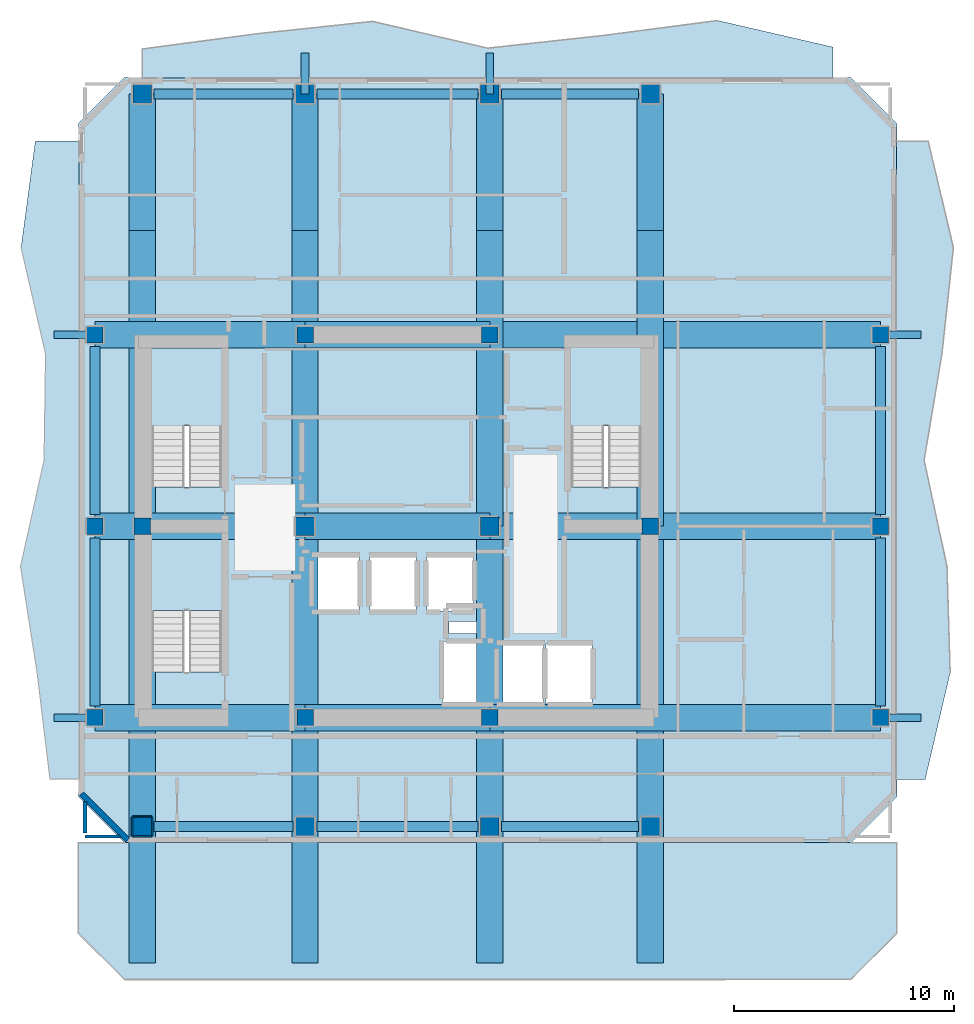
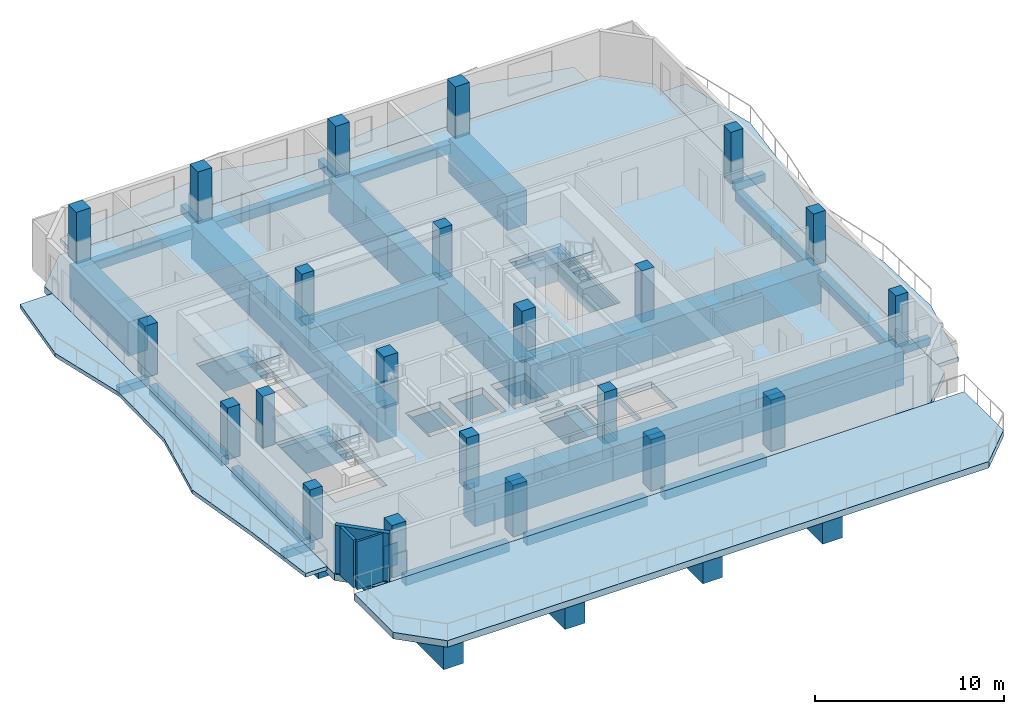
# One storey, part 1 of 9: 37 beams, 22 columns, 8 slabs, 7 walls, 3 elements without a shape of their own.
"""IFC4 building model written with IfcOpenShell, lengths in metres."""

from ifc_helpers import new_model, si_unit, direction, frame, frame_2d, origin, origin_2d, place, context, subcontext, project, spatial, polyline, rectangle, outline, extrude, material, layer, layer_set, material_profile, profile_set, type_object, element, aggregate, save


model = new_model("IFC4")

# Units and contexts
model_context = context("Model", 3, precision=1e-05, world=origin(), true_north=direction((0.0, 1.0)))
body_context = subcontext(model_context, "Body", "Model", "MODEL_VIEW")
ifc_project = project(units=[si_unit("LENGTHUNIT", "METRE"), si_unit("AREAUNIT", "SQUARE_METRE"), si_unit("VOLUMEUNIT", "CUBIC_METRE"), si_unit("PLANEANGLEUNIT", "RADIAN"), si_unit("MASSUNIT", "GRAM", prefix="KILO")], contexts=[model_context])

# Site, building, storey
site_placement = place(None, origin())
site = spatial("IfcSite", under=ifc_project, at=site_placement, CompositionType="ELEMENT")
building_placement = place(site_placement, origin())
building = spatial("IfcBuilding", under=site, at=building_placement, Name="Solanera Arch Residences", CompositionType="ELEMENT")
storey_placement = place(building_placement, frame((0.0, 0.0, 231.280029296875)))
storey = spatial("IfcBuildingStorey", under=building, at=storey_placement, Name="L67", CompositionType="ELEMENT", Elevation=231.280029296875)

# Columns
ifc_material_1 = material(Name="Concrete C40/50 (f'c = 45 MPa)", Category="concrete")
ifc_material_profile_1 = material_profile(ifc_material_1, rectangle(XDim=0.75, YDim=0.75, at=origin_2d()))
ifc_profile_set_1 = profile_set([ifc_material_profile_1], Name="Concrete C40/50 (f'c = 45 MPa)")
column_type_1 = type_object("IfcColumnType", Name="Structural Column RC-COL-750X750", PredefinedType="COLUMN", material=ifc_profile_set_1)
for number, where, z_axis, x_axis, name in (
    (1, (20.800048828125, 22.0, 0.0), (0.0, 0.0, 1.0), (1.0, 0.0, 0.0), "COL-L67-CB-SW"),
    (2, (29.199951171875, 22.0, 0.0), (0.0, 0.0, 1.0), (1.0, 0.0, 0.0), "COL-L67-CB-SE"),
    (3, (20.800048828125, 39.39990234375, 0.0), (0.0, 0.0, 1.0), (1.0, 0.0, 0.0), "COL-L67-CB-NW"),
    (4, (29.199951171875, 39.39990234375, 0.0), (0.0, 0.0, 1.0), (1.0, 0.0, 0.0), "COL-L67-CB-NE"),
    (5, (13.39990234375, 30.699951171875, 0.0), (0.0, 0.0, 1.0), (1.0, 0.0, 0.0), "COL-L67-CB-WW"),
    (6, (36.5, 30.699951171875, 0.0), (0.0, 0.0, 1.0), (1.0, 0.0, 0.0), "COL-L67-CB-EE"),
):
    element("IfcColumn", number, at=place(storey_placement, frame(where, z_axis=z_axis, x_axis=x_axis)), inside=storey, type_object=column_type_1, Name=name, PredefinedType="COLUMN", context=body_context, shape_type="SweptSolid", body=[
        extrude(rectangle(XDim=0.75, YDim=0.75, at=origin_2d()), origin(), (0.0, 0.0, 1.0), 3.320068359375),
    ])
for number, where, z_axis, x_axis, name in (
    (7, (11.25, 22.0, -0.199951171875), (0.0, 0.0, 1.0), (1.0, 0.0, 0.0), "COL-L67-TWR-09"),
    (8, (46.949951171875, 22.0, -0.199951171875), (0.0, 0.0, 1.0), (1.0, 0.0, 0.0), "COL-L67-TWR-10"),
    (9, (11.25, 30.699951171875, -0.199951171875), (0.0, 0.0, 1.0), (1.0, 0.0, 0.0), "COL-L67-TWR-11"),
    (10, (46.949951171875, 30.699951171875, -0.199951171875), (0.0, 0.0, 1.0), (1.0, 0.0, 0.0), "COL-L67-TWR-12"),
    (11, (11.25, 39.39990234375, -0.199951171875), (0.0, 0.0, 1.0), (1.0, 0.0, 0.0), "COL-L67-TWR-13"),
    (12, (46.949951171875, 39.39990234375, -0.199951171875), (0.0, 0.0, 1.0), (1.0, 0.0, 0.0), "COL-L67-TWR-14"),
):
    element("IfcColumn", number, at=place(storey_placement, frame(where, z_axis=z_axis, x_axis=x_axis)), inside=storey, type_object=column_type_1, Name=name, PredefinedType="COLUMN", context=body_context, shape_type="SweptSolid", body=[
        extrude(rectangle(XDim=0.75, YDim=0.75, at=origin_2d()), origin(), (0.0, 0.0, 1.0), 3.52001953125),
    ])
ifc_material_2 = material(Name="Concrete C40/50 (f'c = 45 MPa)", Category="concrete")
ifc_material_profile_2 = material_profile(ifc_material_2, rectangle(XDim=0.85009765625, YDim=0.85009765625, at=origin_2d()))
ifc_profile_set_2 = profile_set([ifc_material_profile_2], Name="Concrete C40/50 (f'c = 45 MPa)")
column_type_2 = type_object("IfcColumnType", Name="Structural Column RC-COL-850X850", PredefinedType="COLUMN", material=ifc_profile_set_2)
for number, where, z_axis, x_axis, name in (
    (13, (20.800048828125, 30.699951171875, 0.0), (0.0, 0.0, 1.0), (1.0, 0.0, 0.0), "COL-L67-CORE-W"),
    (14, (29.199951171875, 30.699951171875, 0.0), (0.0, 0.0, 1.0), (1.0, 0.0, 0.0), "COL-L67-CORE-E"),
):
    element("IfcColumn", number, at=place(storey_placement, frame(where, z_axis=z_axis, x_axis=x_axis)), inside=storey, type_object=column_type_2, Name=name, PredefinedType="COLUMN", context=body_context, shape_type="SweptSolid", body=[
        extrude(rectangle(XDim=0.85009765625, YDim=0.85009765625, at=origin_2d()), origin(), (0.0, 0.0, 1.0), 3.320068359375),
    ])
for number, where, z_axis, x_axis, name in (
    (15, (13.39990234375, 17.050048828125, -0.199951171875), (0.0, 0.0, 1.0), (1.0, 0.0, 0.0), "COL-L67-TWR-01"),
    (16, (13.39990234375, 50.35009765625, -0.199951171875), (0.0, 0.0, 1.0), (1.0, 0.0, 0.0), "COL-L67-TWR-02"),
    (17, (20.800048828125, 17.050048828125, -0.199951171875), (0.0, 0.0, 1.0), (1.0, 0.0, 0.0), "COL-L67-TWR-03"),
    (18, (20.800048828125, 50.35009765625, -0.199951171875), (0.0, 0.0, 1.0), (1.0, 0.0, 0.0), "COL-L67-TWR-04"),
    (19, (29.199951171875, 17.050048828125, -0.199951171875), (0.0, 0.0, 1.0), (1.0, 0.0, 0.0), "COL-L67-TWR-05"),
    (20, (29.199951171875, 50.35009765625, -0.199951171875), (0.0, 0.0, 1.0), (1.0, 0.0, 0.0), "COL-L67-TWR-06"),
    (21, (36.5, 17.050048828125, -0.199951171875), (0.0, 0.0, 1.0), (1.0, 0.0, 0.0), "COL-L67-TWR-07"),
    (22, (36.5, 50.35009765625, -0.199951171875), (0.0, 0.0, 1.0), (1.0, 0.0, 0.0), "COL-L67-TWR-08"),
):
    element("IfcColumn", number, at=place(storey_placement, frame(where, z_axis=z_axis, x_axis=x_axis)), inside=storey, type_object=column_type_2, Name=name, PredefinedType="COLUMN", context=body_context, shape_type="SweptSolid", body=[
        extrude(rectangle(XDim=0.85009765625, YDim=0.85009765625, at=origin_2d()), origin(), (0.0, 0.0, 1.0), 3.52001953125),
    ])

# Beams
ifc_material_3 = material(Name="Concrete C40/50 (f'c = 45 MPa)", Category="concrete")
ifc_material_profile_3 = material_profile(ifc_material_3, rectangle(XDim=0.35009765625, YDim=0.5, at=origin_2d()))
ifc_profile_set_3 = profile_set([ifc_material_profile_3], Name="Concrete C40/50 (f'c = 45 MPa)")
beam_type_1 = type_object("IfcBeamType", Name="BM-BALC-RIB", PredefinedType="BEAM", material=ifc_profile_set_3)
for number, where, z_axis, x_axis, name in (
    (23, (20.800048828125, 50.35009765625, -0.5), (0.0, 1.0, 0.0), (-1.0, 0.0, 0.0), "BM-L67-BRIB-N1"),
    (24, (29.199951171875, 50.35009765625, -0.5), (0.0, 1.0, 0.0), (-1.0, 0.0, 0.0), "BM-L67-BRIB-N2"),
):
    element("IfcBeam", number, at=place(storey_placement, frame(where, z_axis=z_axis, x_axis=x_axis)), inside=storey, type_object=beam_type_1, Name=name, PredefinedType="BEAM", context=body_context, shape_type="SweptSolid", body=[
        extrude(rectangle(XDim=0.35009765625, YDim=0.5, at=origin_2d()), origin(), (0.0, 0.0, 1.0), 1.849853515625),
    ])
for number, where, z_axis, x_axis, name in (
    (25, (46.949951171875, 22.0, -0.5), (1.0, 0.0, 0.0), (0.0, 1.0, 0.0), "BM-L67-BRIB-E1"),
    (26, (46.949951171875, 39.39990234375, -0.5), (1.0, 0.0, 0.0), (0.0, 1.0, 0.0), "BM-L67-BRIB-E2"),
    (27, (9.39990234375, 22.0, -0.5), (1.0, 0.0, 0.0), (0.0, 1.0, 0.0), "BM-L67-BRIB-W1"),
    (28, (9.39990234375, 39.39990234375, -0.5), (1.0, 0.0, 0.0), (0.0, 1.0, 0.0), "BM-L67-BRIB-W2"),
):
    element("IfcBeam", number, at=place(storey_placement, frame(where, z_axis=z_axis, x_axis=x_axis)), inside=storey, type_object=beam_type_1, Name=name, PredefinedType="BEAM", context=body_context, shape_type="SweptSolid", body=[
        extrude(rectangle(XDim=0.35009765625, YDim=0.5, at=origin_2d()), origin(), (0.0, 0.0, 1.0), 1.85009765625),
    ])
ifc_material_4 = material(Name="Concrete C55/67 (f'c = 60 MPa)", Category="concrete")
ifc_material_profile_4 = material_profile(ifc_material_4, rectangle(XDim=1.199951171875, YDim=2.199951171875, at=origin_2d()))
ifc_profile_set_4 = profile_set([ifc_material_profile_4], Name="Concrete C55/67 (f'c = 60 MPa)")
beam_type_2 = type_object("IfcBeamType", Name="BM-CANT-BLOCK", PredefinedType="BEAM", material=ifc_profile_set_4)
for number, where, z_axis, x_axis, name in (
    (29, (13.39990234375, 44.14990234375, -1.300048828125), (0.0, 1.0, 0.0), (-1.0, 0.0, 0.0), "BM-L67-CANT-NS-N-134"),
    (30, (20.800048828125, 44.14990234375, -1.300048828125), (0.0, 1.0, 0.0), (-1.0, 0.0, 0.0), "BM-L67-CANT-NS-N-208"),
    (31, (29.199951171875, 44.14990234375, -1.300048828125), (0.0, 1.0, 0.0), (-1.0, 0.0, 0.0), "BM-L67-CANT-NS-N-292"),
    (32, (36.5, 44.14990234375, -1.300048828125), (0.0, 1.0, 0.0), (-1.0, 0.0, 0.0), "BM-L67-CANT-NS-N-365"),
):
    element("IfcBeam", number, at=place(storey_placement, frame(where, z_axis=z_axis, x_axis=x_axis)), inside=storey, type_object=beam_type_2, Name=name, PredefinedType="BEAM", context=body_context, shape_type="SweptSolid", body=[
        extrude(rectangle(XDim=1.199951171875, YDim=2.199951171875, at=origin_2d()), origin(), (0.0, 0.0, 1.0), 6.2001953125),
    ])
ifc_material_5 = material(Name="Concrete C40/50 (f'c = 45 MPa)", Category="concrete")
ifc_material_profile_5 = material_profile(ifc_material_5, rectangle(XDim=0.449951171875, YDim=0.60009765625, at=origin_2d()))
ifc_profile_set_5 = profile_set([ifc_material_profile_5], Name="Concrete C40/50 (f'c = 45 MPa)")
beam_type_3 = type_object("IfcBeamType", Name="Spandrel Beam RC-BM-450X600", PredefinedType="SPANDREL", material=ifc_profile_set_5)
for number, where, z_axis, x_axis, name in (
    (33, (13.93994140625, 17.050048828125, -0.719970703125), (1.0, 0.0, 0.0), (0.0, 1.0, 0.0), "BM-L67-XRING-S-1"),
    (34, (13.93994140625, 50.35009765625, -0.719970703125), (1.0, 0.0, 0.0), (0.0, 1.0, 0.0), "BM-L67-XRING-N-1"),
):
    element("IfcBeam", number, at=place(storey_placement, frame(where, z_axis=z_axis, x_axis=x_axis)), inside=storey, type_object=beam_type_3, Name=name, PredefinedType="SPANDREL", context=body_context, shape_type="SweptSolid", body=[
        extrude(rectangle(XDim=0.449951171875, YDim=0.60009765625, at=origin_2d()), origin(), (0.0, 0.0, 1.0), 6.320068359375),
    ])
for number, where, z_axis, x_axis, name in (
    (35, (21.340087890625, 17.050048828125, -0.719970703125), (1.0, 0.0, 0.0), (0.0, 1.0, 0.0), "BM-L67-XRING-S-2"),
    (36, (21.340087890625, 50.35009765625, -0.719970703125), (1.0, 0.0, 0.0), (0.0, 1.0, 0.0), "BM-L67-XRING-N-2"),
):
    element("IfcBeam", number, at=place(storey_placement, frame(where, z_axis=z_axis, x_axis=x_axis)), inside=storey, type_object=beam_type_3, Name=name, PredefinedType="SPANDREL", context=body_context, shape_type="SweptSolid", body=[
        extrude(rectangle(XDim=0.449951171875, YDim=0.60009765625, at=origin_2d()), origin(), (0.0, 0.0, 1.0), 7.31982421875),
    ])
for number, where, z_axis, x_axis, name in (
    (37, (29.739990234375, 17.050048828125, -0.719970703125), (1.0, 0.0, 0.0), (0.0, 1.0, 0.0), "BM-L67-XRING-S-3"),
    (38, (29.739990234375, 50.35009765625, -0.719970703125), (1.0, 0.0, 0.0), (0.0, 1.0, 0.0), "BM-L67-XRING-N-3"),
):
    element("IfcBeam", number, at=place(storey_placement, frame(where, z_axis=z_axis, x_axis=x_axis)), inside=storey, type_object=beam_type_3, Name=name, PredefinedType="SPANDREL", context=body_context, shape_type="SweptSolid", body=[
        extrude(rectangle(XDim=0.449951171875, YDim=0.60009765625, at=origin_2d()), origin(), (0.0, 0.0, 1.0), 6.219970703125),
    ])
for number, where, z_axis, x_axis, name in (
    (39, (11.25, 22.5400390625, -0.719970703125), (0.0, 1.0, 0.0), (-1.0, 0.0, 0.0), "BM-L67-XRING-W-1"),
    (40, (46.949951171875, 22.5400390625, -0.719970703125), (0.0, 1.0, 0.0), (-1.0, 0.0, 0.0), "BM-L67-XRING-E-1"),
):
    element("IfcBeam", number, at=place(storey_placement, frame(where, z_axis=z_axis, x_axis=x_axis)), inside=storey, type_object=beam_type_3, Name=name, PredefinedType="SPANDREL", context=body_context, shape_type="SweptSolid", body=[
        extrude(rectangle(XDim=0.449951171875, YDim=0.60009765625, at=origin_2d()), origin(), (0.0, 0.0, 1.0), 7.619873046875),
    ])
for number, where, z_axis, x_axis, name in (
    (41, (11.25, 31.239990234375, -0.719970703125), (0.0, 1.0, 0.0), (-1.0, 0.0, 0.0), "BM-L67-XRING-W-2"),
    (42, (46.949951171875, 31.239990234375, -0.719970703125), (0.0, 1.0, 0.0), (-1.0, 0.0, 0.0), "BM-L67-XRING-E-2"),
):
    element("IfcBeam", number, at=place(storey_placement, frame(where, z_axis=z_axis, x_axis=x_axis)), inside=storey, type_object=beam_type_3, Name=name, PredefinedType="SPANDREL", context=body_context, shape_type="SweptSolid", body=[
        extrude(rectangle(XDim=0.449951171875, YDim=0.60009765625, at=origin_2d()), origin(), (0.0, 0.0, 1.0), 7.6201171875),
    ])
ifc_material_6 = material(Name="Concrete C55/67 (f'c = 60 MPa)", Category="concrete")
ifc_material_profile_6 = material_profile(ifc_material_6, rectangle(XDim=1.199951171875, YDim=2.199951171875, at=origin_2d()))
ifc_profile_set_6 = profile_set([ifc_material_profile_6], Name="Concrete C55/67 (f'c = 60 MPa)")
beam_type_4 = type_object("IfcBeamType", Name="Transfer Girder RC-BM-1200X2200", PredefinedType="BEAM", material=ifc_profile_set_6)
beam_1_placement = place(storey_placement, frame((13.39990234375, 10.85009765625, -1.300048828125), z_axis=(0.0, 1.0, 0.0), x_axis=(-1.0, 0.0, 0.0)))
element("IfcBeam", 43, at=beam_1_placement, inside=storey, type_object=beam_type_4, Name="BM-L67-XFER-NS-S-134", PredefinedType="BEAM", context=body_context, shape_type="SweptSolid", body=[
    extrude(rectangle(XDim=1.199951171875, YDim=2.199951171875, at=origin_2d()), origin(), (0.0, 0.0, 1.0), 19.849853515625),
])
beam_2_placement = place(storey_placement, frame((13.39990234375, 30.699951171875, -1.300048828125), z_axis=(0.0, 1.0, 0.0), x_axis=(-1.0, 0.0, 0.0)))
element("IfcBeam", 44, at=beam_2_placement, inside=storey, type_object=beam_type_4, Name="BM-L67-XFER-NS-N-134", PredefinedType="BEAM", context=body_context, shape_type="SweptSolid", body=[
    extrude(rectangle(XDim=1.199951171875, YDim=2.199951171875, at=origin_2d()), origin(), (0.0, 0.0, 1.0), 13.449951171875),
])
beam_3_placement = place(storey_placement, frame((20.800048828125, 10.85009765625, -1.300048828125), z_axis=(0.0, 1.0, 0.0), x_axis=(-1.0, 0.0, 0.0)))
element("IfcBeam", 45, at=beam_3_placement, inside=storey, type_object=beam_type_4, Name="BM-L67-XFER-NS-S-208", PredefinedType="BEAM", context=body_context, shape_type="SweptSolid", body=[
    extrude(rectangle(XDim=1.199951171875, YDim=2.199951171875, at=origin_2d()), origin(), (0.0, 0.0, 1.0), 19.849853515625),
])
beam_4_placement = place(storey_placement, frame((20.800048828125, 30.699951171875, -1.300048828125), z_axis=(0.0, 1.0, 0.0), x_axis=(-1.0, 0.0, 0.0)))
element("IfcBeam", 46, at=beam_4_placement, inside=storey, type_object=beam_type_4, Name="BM-L67-XFER-NS-N-208", PredefinedType="BEAM", context=body_context, shape_type="SweptSolid", body=[
    extrude(rectangle(XDim=1.199951171875, YDim=2.199951171875, at=origin_2d()), origin(), (0.0, 0.0, 1.0), 13.449951171875),
])
beam_5_placement = place(storey_placement, frame((29.199951171875, 10.85009765625, -1.300048828125), z_axis=(0.0, 1.0, 0.0), x_axis=(-1.0, 0.0, 0.0)))
element("IfcBeam", 47, at=beam_5_placement, inside=storey, type_object=beam_type_4, Name="BM-L67-XFER-NS-S-292", PredefinedType="BEAM", context=body_context, shape_type="SweptSolid", body=[
    extrude(rectangle(XDim=1.199951171875, YDim=2.199951171875, at=origin_2d()), origin(), (0.0, 0.0, 1.0), 19.849853515625),
])
beam_6_placement = place(storey_placement, frame((29.199951171875, 30.699951171875, -1.300048828125), z_axis=(0.0, 1.0, 0.0), x_axis=(-1.0, 0.0, 0.0)))
element("IfcBeam", 48, at=beam_6_placement, inside=storey, type_object=beam_type_4, Name="BM-L67-XFER-NS-N-292", PredefinedType="BEAM", context=body_context, shape_type="SweptSolid", body=[
    extrude(rectangle(XDim=1.199951171875, YDim=2.199951171875, at=origin_2d()), origin(), (0.0, 0.0, 1.0), 13.449951171875),
])
beam_7_placement = place(storey_placement, frame((36.5, 10.85009765625, -1.300048828125), z_axis=(0.0, 1.0, 0.0), x_axis=(-1.0, 0.0, 0.0)))
element("IfcBeam", 49, at=beam_7_placement, inside=storey, type_object=beam_type_4, Name="BM-L67-XFER-NS-S-365", PredefinedType="BEAM", context=body_context, shape_type="SweptSolid", body=[
    extrude(rectangle(XDim=1.199951171875, YDim=2.199951171875, at=origin_2d()), origin(), (0.0, 0.0, 1.0), 19.849853515625),
])
beam_8_placement = place(storey_placement, frame((36.5, 30.699951171875, -1.300048828125), z_axis=(0.0, 1.0, 0.0), x_axis=(-1.0, 0.0, 0.0)))
element("IfcBeam", 50, at=beam_8_placement, inside=storey, type_object=beam_type_4, Name="BM-L67-XFER-NS-N-365", PredefinedType="BEAM", context=body_context, shape_type="SweptSolid", body=[
    extrude(rectangle(XDim=1.199951171875, YDim=2.199951171875, at=origin_2d()), origin(), (0.0, 0.0, 1.0), 13.449951171875),
])
beam_9_placement = place(storey_placement, frame((11.25, 22.0, -1.300048828125), z_axis=(1.0, 0.0, 0.0), x_axis=(0.0, 1.0, 0.0)))
element("IfcBeam", 51, at=beam_9_placement, inside=storey, type_object=beam_type_4, Name="BM-L67-XFER-EW-W-220", PredefinedType="BEAM", context=body_context, shape_type="SweptSolid", body=[
    extrude(rectangle(XDim=1.199951171875, YDim=2.199951171875, at=origin_2d()), origin(), (0.0, 0.0, 1.0), 9.550048828125),
])
beam_10_placement = place(storey_placement, frame((20.800048828125, 22.0, -1.300048828125), z_axis=(1.0, 0.0, 0.0), x_axis=(0.0, 1.0, 0.0)))
element("IfcBeam", 52, at=beam_10_placement, inside=storey, type_object=beam_type_4, Name="BM-L67-XFER-EW-C-220", PredefinedType="BEAM", context=body_context, shape_type="SweptSolid", body=[
    extrude(rectangle(XDim=1.199951171875, YDim=2.199951171875, at=origin_2d()), origin(), (0.0, 0.0, 1.0), 8.39990234375),
])
beam_11_placement = place(storey_placement, frame((29.199951171875, 22.0, -1.300048828125), z_axis=(1.0, 0.0, 0.0), x_axis=(0.0, 1.0, 0.0)))
element("IfcBeam", 53, at=beam_11_placement, inside=storey, type_object=beam_type_4, Name="BM-L67-XFER-EW-E-220", PredefinedType="BEAM", context=body_context, shape_type="SweptSolid", body=[
    extrude(rectangle(XDim=1.199951171875, YDim=2.199951171875, at=origin_2d()), origin(), (0.0, 0.0, 1.0), 17.75),
])
beam_12_placement = place(storey_placement, frame((11.25, 30.699951171875, -1.300048828125), z_axis=(1.0, 0.0, 0.0), x_axis=(0.0, 1.0, 0.0)))
element("IfcBeam", 54, at=beam_12_placement, inside=storey, type_object=beam_type_4, Name="BM-L67-XFER-EW-W-307", PredefinedType="BEAM", context=body_context, shape_type="SweptSolid", body=[
    extrude(rectangle(XDim=1.199951171875, YDim=2.199951171875, at=origin_2d()), origin(), (0.0, 0.0, 1.0), 9.550048828125),
])
beam_13_placement = place(storey_placement, frame((20.800048828125, 30.699951171875, -1.300048828125), z_axis=(1.0, 0.0, 0.0), x_axis=(0.0, 1.0, 0.0)))
element("IfcBeam", 55, at=beam_13_placement, inside=storey, type_object=beam_type_4, Name="BM-L67-XFER-EW-C-307", PredefinedType="BEAM", context=body_context, shape_type="SweptSolid", body=[
    extrude(rectangle(XDim=1.199951171875, YDim=2.199951171875, at=origin_2d()), origin(), (0.0, 0.0, 1.0), 8.39990234375),
])
beam_14_placement = place(storey_placement, frame((29.199951171875, 30.699951171875, -1.300048828125), z_axis=(1.0, 0.0, 0.0), x_axis=(0.0, 1.0, 0.0)))
element("IfcBeam", 56, at=beam_14_placement, inside=storey, type_object=beam_type_4, Name="BM-L67-XFER-EW-E-307", PredefinedType="BEAM", context=body_context, shape_type="SweptSolid", body=[
    extrude(rectangle(XDim=1.199951171875, YDim=2.199951171875, at=origin_2d()), origin(), (0.0, 0.0, 1.0), 17.75),
])
beam_15_placement = place(storey_placement, frame((11.25, 39.39990234375, -1.300048828125), z_axis=(1.0, 0.0, 0.0), x_axis=(0.0, 1.0, 0.0)))
element("IfcBeam", 57, at=beam_15_placement, inside=storey, type_object=beam_type_4, Name="BM-L67-XFER-EW-W-394", PredefinedType="BEAM", context=body_context, shape_type="SweptSolid", body=[
    extrude(rectangle(XDim=1.199951171875, YDim=2.199951171875, at=origin_2d()), origin(), (0.0, 0.0, 1.0), 9.550048828125),
])
beam_16_placement = place(storey_placement, frame((20.800048828125, 39.39990234375, -1.300048828125), z_axis=(1.0, 0.0, 0.0), x_axis=(0.0, 1.0, 0.0)))
element("IfcBeam", 58, at=beam_16_placement, inside=storey, type_object=beam_type_4, Name="BM-L67-XFER-EW-C-394", PredefinedType="BEAM", context=body_context, shape_type="SweptSolid", body=[
    extrude(rectangle(XDim=1.199951171875, YDim=2.199951171875, at=origin_2d()), origin(), (0.0, 0.0, 1.0), 8.39990234375),
])
beam_17_placement = place(storey_placement, frame((29.199951171875, 39.39990234375, -1.300048828125), z_axis=(1.0, 0.0, 0.0), x_axis=(0.0, 1.0, 0.0)))
element("IfcBeam", 59, at=beam_17_placement, inside=storey, type_object=beam_type_4, Name="BM-L67-XFER-EW-E-394", PredefinedType="BEAM", context=body_context, shape_type="SweptSolid", body=[
    extrude(rectangle(XDim=1.199951171875, YDim=2.199951171875, at=origin_2d()), origin(), (0.0, 0.0, 1.0), 17.75),
])

# Slabs
ifc_material_7 = material(Name="Concrete C40/50 (f'c = 45 MPa)", Category="concrete")
ifc_layer_1 = layer(ifc_material_7, 0.25)
ifc_layer_set_1 = layer_set([ifc_layer_1], Name="Concrete C40/50 (f'c = 45 MPa)")
slab_type_1 = type_object("IfcSlabType", Name="Balcony Slab 250", PredefinedType="FLOOR", material=ifc_layer_set_1)
slab_1_placement = place(storey_placement, frame((0.0, 0.0, -0.25)))
element("IfcSlab", 60, at=slab_1_placement, inside=storey, type_object=slab_type_1, Name="L67 N Rippling Brise-Soleil Balcony Slab", PredefinedType="FLOOR", context=body_context, shape_type="SweptSolid", body=[
    extrude(outline(polyline([(44.800048828125, 52.47705078125), (39.56689453125, 53.68505859375), (34.3330078125, 53.0029296875), (29.10009765625, 52.429931640625), (23.866943359375, 53.64501953125), (18.633056640625, 53.0859375), (13.39990234375, 52.39111328125), (13.39990234375, 51.080078125), (44.800048828125, 51.080078125), (44.800048828125, 52.47705078125)])), origin(), (0.0, 0.0, 1.0), 0.25),
])
slab_2_placement = place(storey_placement, frame((0.0, 0.0, -0.25)))
element("IfcSlab", 61, at=slab_2_placement, inside=storey, type_object=slab_type_1, Name="L67 E Rippling Brise-Soleil Balcony Slab", PredefinedType="FLOOR", context=body_context, shape_type="SweptSolid", body=[
    extrude(outline(polyline([(48.990966796875, 19.199951171875), (50.1220703125, 24.032958984375), (49.97900390625, 28.866943359375), (48.93994140625, 33.699951171875), (49.7509765625, 38.532958984375), (50.26806640625, 43.366943359375), (49.125, 48.199951171875), (47.679931640625, 48.199951171875), (47.679931640625, 19.199951171875), (48.990966796875, 19.199951171875)])), origin(), (0.0, 0.0, 1.0), 0.25),
])
slab_3_placement = place(storey_placement, frame((0.0, 0.0, -0.25)))
element("IfcSlab", 62, at=slab_3_placement, inside=storey, type_object=slab_type_1, Name="L67 W Rippling Brise-Soleil Balcony Slab", PredefinedType="FLOOR", context=body_context, shape_type="SweptSolid", body=[
    extrude(outline(polyline([(8.541015625, 48.199951171875), (7.89404296875, 43.366943359375), (9.007080078125, 38.532958984375), (8.93896484375, 33.699951171875), (7.8701171875, 28.866943359375), (8.625, 24.032958984375), (9.208984375, 19.199951171875), (10.52001953125, 19.199951171875), (10.52001953125, 48.199951171875), (8.541015625, 48.199951171875)])), origin(), (0.0, 0.0, 1.0), 0.25),
])

# Stair, slab
ifc_material_8 = material(Name="Concrete C40/50 (f'c = 45 MPa)", Category="concrete")
stair_type = type_object("IfcStairType", Name="Tower Dogleg Exit Stair 1480", PredefinedType="HALF_TURN_STAIR", material=ifc_material_8)
stair_1_placement = place(storey_placement, origin())
stair_1 = element("IfcStair", 63, at=stair_1_placement, inside=storey, type_object=stair_type, Name="L67 Tower Core Exit Stair 1", PredefinedType="HALF_TURN_STAIR")
ifc_material_9 = material(Name="Concrete C40/50 (f'c = 45 MPa)", Category="concrete")
ifc_layer_2 = layer(ifc_material_9, 0.199951171875)
ifc_layer_set_2 = layer_set([ifc_layer_2], Name="Concrete C40/50 (f'c = 45 MPa)")
slab_type_2 = type_object("IfcSlabType", Name="Stair Half-Landing Slab 200", PredefinedType="LANDING", material=ifc_layer_set_2)
slab_4_placement = place(storey_placement, frame((0.0, 0.0, 1.4599609375)))
slab_4 = element("IfcSlab", 64, at=slab_4_placement, type_object=slab_type_2, Name="ST-T1 landing 1", PredefinedType="LANDING", context=body_context, shape_type="SweptSolid", body=[
    extrude(outline(polyline([(17.1201171875, 35.260009765625), (17.1201171875, 38.919921875), (13.719970703125, 38.919921875), (13.719970703125, 35.260009765625), (17.1201171875, 35.260009765625)])), origin(), (0.0, 0.0, 1.0), 0.199951171875),
])
aggregate(stair_1, [slab_4])

stair_2_placement = place(storey_placement, origin())
stair_2 = element("IfcStair", 65, at=stair_2_placement, inside=storey, type_object=stair_type, Name="L67 Tower Core Exit Stair 2", PredefinedType="HALF_TURN_STAIR")
slab_5_placement = place(storey_placement, frame((0.0, 0.0, 1.4599609375)))
slab_5 = element("IfcSlab", 66, at=slab_5_placement, type_object=slab_type_2, Name="ST-T2 landing 1", PredefinedType="LANDING", context=body_context, shape_type="SweptSolid", body=[
    extrude(outline(polyline([(36.179931640625, 35.260009765625), (36.179931640625, 38.919921875), (32.780029296875, 38.919921875), (32.780029296875, 35.260009765625), (36.179931640625, 35.260009765625)])), origin(), (0.0, 0.0, 1.0), 0.199951171875),
])
aggregate(stair_2, [slab_5])

stair_3_placement = place(storey_placement, origin())
stair_3 = element("IfcStair", 67, at=stair_3_placement, inside=storey, type_object=stair_type, Name="L67 Tower Core Exit Stair 3", PredefinedType="HALF_TURN_STAIR")
slab_6_placement = place(storey_placement, frame((0.0, 0.0, 1.4599609375)))
slab_6 = element("IfcSlab", 68, at=slab_6_placement, type_object=slab_type_2, Name="ST-T3 landing 1", PredefinedType="LANDING", context=body_context, shape_type="SweptSolid", body=[
    extrude(outline(polyline([(17.1201171875, 26.860107421875), (17.1201171875, 30.52001953125), (13.719970703125, 30.52001953125), (13.719970703125, 26.860107421875), (17.1201171875, 26.860107421875)])), origin(), (0.0, 0.0, 1.0), 0.199951171875),
])
aggregate(stair_3, [slab_6])

# Slabs
ifc_material_10 = material(Name="Concrete C40/50 (f'c = 45 MPa)", Category="concrete")
ifc_layer_3 = layer(ifc_material_10, 0.419921875)
ifc_layer_set_3 = layer_set([ifc_layer_3], Name="Concrete C40/50 (f'c = 45 MPa)")
slab_type_3 = type_object("IfcSlabType", Name="Suspended Floor Slab Post-Tensioned 420", PredefinedType="FLOOR", material=ifc_layer_set_3)
slab_7_placement = place(storey_placement, frame((0.0, 0.0, -0.419921875)))
element("IfcSlab", 69, at=slab_7_placement, inside=storey, type_object=slab_type_3, Name="L67 Tower Post-Tensioned Floor Slab", PredefinedType="FLOOR", context=body_context, shape_type="SweptSolid", body=[
    extrude(outline(polyline([(12.60009765625, 16.300048828125), (45.60009765625, 16.300048828125), (47.699951171875, 18.39990234375), (47.699951171875, 49.0), (45.60009765625, 51.10009765625), (12.60009765625, 51.10009765625), (10.5, 49.0), (10.5, 18.39990234375), (12.60009765625, 16.300048828125)]), holes=[polyline([(13.840087890625, 32.48291015625), (13.840087890625, 38.800048828125), (17.0, 38.800048828125), (17.0, 32.48291015625), (13.840087890625, 32.48291015625)]), polyline([(32.89990234375, 32.48291015625), (32.89990234375, 38.800048828125), (36.06005859375, 38.800048828125), (36.06005859375, 32.48291015625), (32.89990234375, 32.48291015625)]), polyline([(13.840087890625, 24.0830078125), (13.840087890625, 30.39990234375), (17.0, 30.39990234375), (17.0, 24.0830078125), (13.840087890625, 24.0830078125)]), polyline([(21.14990234375, 29.35009765625), (23.25, 29.35009765625), (23.25, 26.85009765625), (21.14990234375, 26.85009765625), (21.14990234375, 29.35009765625)]), polyline([(23.75, 29.35009765625), (25.85009765625, 29.35009765625), (25.85009765625, 26.85009765625), (23.75, 26.85009765625), (23.75, 29.35009765625)]), polyline([(26.35009765625, 29.35009765625), (28.449951171875, 29.35009765625), (28.449951171875, 26.85009765625), (26.35009765625, 26.85009765625), (26.35009765625, 29.35009765625)]), polyline([(29.550048828125, 25.35009765625), (31.64990234375, 25.35009765625), (31.64990234375, 22.64990234375), (29.550048828125, 22.64990234375), (29.550048828125, 25.35009765625)]), polyline([(31.75, 25.35009765625), (33.85009765625, 25.35009765625), (33.85009765625, 22.64990234375), (31.75, 22.64990234375), (31.75, 25.35009765625)]), polyline([(27.050048828125, 25.449951171875), (29.35009765625, 25.449951171875), (29.35009765625, 22.64990234375), (27.050048828125, 22.64990234375), (27.050048828125, 25.449951171875)]), polyline([(27.340087890625, 26.3798828125), (28.760009765625, 26.3798828125), (28.760009765625, 25.820068359375), (27.340087890625, 25.820068359375), (27.340087890625, 26.3798828125)])]), origin(), (0.0, 0.0, 1.0), 0.419921875),
])
ifc_material_11 = material(Name="Concrete C40/50 (f'c = 45 MPa)", Category="concrete")
ifc_layer_4 = layer(ifc_material_11, 0.419921875)
ifc_layer_set_4 = layer_set([ifc_layer_4], Name="Concrete C40/50 (f'c = 45 MPa)")
slab_type_4 = type_object("IfcSlabType", Name="Terrace Slab 420", PredefinedType="FLOOR", material=ifc_layer_set_4)
slab_8_placement = place(storey_placement, frame((0.0, 0.0, -0.419921875)))
element("IfcSlab", 70, at=slab_8_placement, inside=storey, type_object=slab_type_4, Name="L67 Planted Sky Terrace Slab 1", PredefinedType="FLOOR", context=body_context, shape_type="SweptSolid", body=[
    extrude(outline(polyline([(47.699951171875, 16.320068359375), (45.592041015625, 16.320068359375), (12.60791015625, 16.320068359375), (10.5, 16.320068359375), (10.5, 12.199951171875), (12.60009765625, 10.10009765625), (45.60009765625, 10.10009765625), (47.699951171875, 12.199951171875), (47.699951171875, 16.320068359375)])), origin(), (0.0, 0.0, 1.0), 0.419921875),
])

# Walls
ifc_material_12 = material(Name="Fire-Rated Gypsum Stud Partition", Category="gypsum")
ifc_layer_5 = layer(ifc_material_12, 0.06005859375)
ifc_layer_set_5 = layer_set([ifc_layer_5], Name="Fire-Rated Gypsum Stud Partition")
wall_type_1 = type_object("IfcWallType", Name="Column Acoustic Furring Wall 60", PredefinedType="PARTITIONING", material=ifc_layer_set_5)
for number, where, z_axis, x_axis, name in (
    (71, (12.97509765625, 16.593017578125, 0.0), (0.0, 0.0, 1.0), (1.0, 0.0, 0.0), "L67 Column Furring 9S"),
    (72, (12.97509765625, 17.507080078125, 0.0), (0.0, 0.0, 1.0), (1.0, 0.0, 0.0), "L67 Column Furring 9N"),
):
    element("IfcWall", number, at=place(storey_placement, frame(where, z_axis=z_axis, x_axis=x_axis)), inside=storey, type_object=wall_type_1, Name=name, PredefinedType="PARTITIONING", context=body_context, shape_type="SweptSolid", body=[
        extrude(rectangle(XDim=0.849853515625, YDim=0.06005859375, at=frame_2d((0.4248046875, 0.0))), origin(), (0.0, 0.0, 1.0), 1.449951171875),
    ])
for number, where, z_axis, x_axis, name in (
    (73, (12.943115234375, 16.625, 0.0), (0.0, 0.0, 1.0), (0.0, 1.0, 0.0), "L67 Column Furring 9W"),
    (74, (13.85693359375, 16.625, 0.0), (0.0, 0.0, 1.0), (0.0, 1.0, 0.0), "L67 Column Furring 9E"),
):
    element("IfcWall", number, at=place(storey_placement, frame(where, z_axis=z_axis, x_axis=x_axis)), inside=storey, type_object=wall_type_1, Name=name, PredefinedType="PARTITIONING", context=body_context, shape_type="SweptSolid", body=[
        extrude(rectangle(XDim=0.85009765625, YDim=0.06005859375, at=frame_2d((0.425048828125, 0.0))), origin(), (0.0, 0.0, 1.0), 1.449951171875),
    ])
ifc_material_13 = material(Name="Autoclaved Aerated Concrete Blockwork", Category="masonry")
ifc_layer_6 = layer(ifc_material_13, 0.179931640625)
ifc_layer_set_6 = layer_set([ifc_layer_6], Name="Autoclaved Aerated Concrete Blockwork")
wall_type_2 = type_object("IfcWallType", Name="Corridor Fire Partition 180", PredefinedType="PARTITIONING", material=ifc_layer_set_6)
wall_1_placement = place(storey_placement, frame((10.800048828125, 16.76806640625, 0.0), z_axis=(0.0, 0.0, 1.0), x_axis=(0.0, 1.0, 0.0)))
element("IfcWall", 75, at=wall_1_placement, inside=storey, type_object=wall_type_2, Name="L67 Interior Partition V8", PredefinedType="PARTITIONING", context=body_context, shape_type="SweptSolid", body=[
    extrude(rectangle(XDim=1.4208984375, YDim=0.179931640625, at=frame_2d((0.71044921875, 0.0))), origin(), (0.0, 0.0, 1.0), 3.099853515625),
])
ifc_material_14 = material(Name="Precast Concrete C35/45", Category="concrete")
ifc_layer_7 = layer(ifc_material_14, 0.260009765625)
ifc_layer_set_7 = layer_set([ifc_layer_7], Name="Precast Concrete C35/45")
wall_type_3 = type_object("IfcWallType", Name="Exterior Wall Precast Masonry-Frame 260", PredefinedType="STANDARD", material=ifc_layer_set_7)
wall_2_placement = place(storey_placement, frame((12.7451171875, 16.445068359375, 0.0), z_axis=(0.0, 0.0, 1.0), x_axis=(-0.707147883682, 0.707065676302, 0.0)))
element("IfcWall", 76, at=wall_2_placement, inside=storey, type_object=wall_type_3, Name="L67 Tower Exterior Precast Masonry-Frame Wall CH7", PredefinedType="STANDARD", context=body_context, shape_type="SweptSolid", body=[
    extrude(rectangle(XDim=2.9697265625, YDim=0.260009765625, at=frame_2d((1.48486328125, 0.0))), origin(), (0.0, 0.0, 1.0), 3.099853515625),
])
ifc_material_15 = material(Name="Autoclaved Aerated Concrete Blockwork", Category="masonry")
ifc_layer_8 = layer(ifc_material_15, 0.139892578125)
ifc_layer_set_8 = layer_set([ifc_layer_8], Name="Autoclaved Aerated Concrete Blockwork")
wall_type_4 = type_object("IfcWallType", Name="Wet-Room Partition 140", PredefinedType="PARTITIONING", material=ifc_layer_set_8)
wall_3_placement = place(storey_placement, frame((10.800048828125, 16.60009765625, 0.0), z_axis=(0.0, 0.0, 1.0), x_axis=(1.0, 0.0, 0.0)))
element("IfcWall", 77, at=wall_3_placement, inside=storey, type_object=wall_type_4, Name="L67 Interior Partition H15 1", PredefinedType="PARTITIONING", context=body_context, shape_type="SweptSolid", body=[
    extrude(rectangle(XDim=1.5888671875, YDim=0.139892578125, at=frame_2d((0.79443359375, 0.0))), origin(), (0.0, 0.0, 1.0), 3.099853515625),
])

save(model, "model.ifc")
